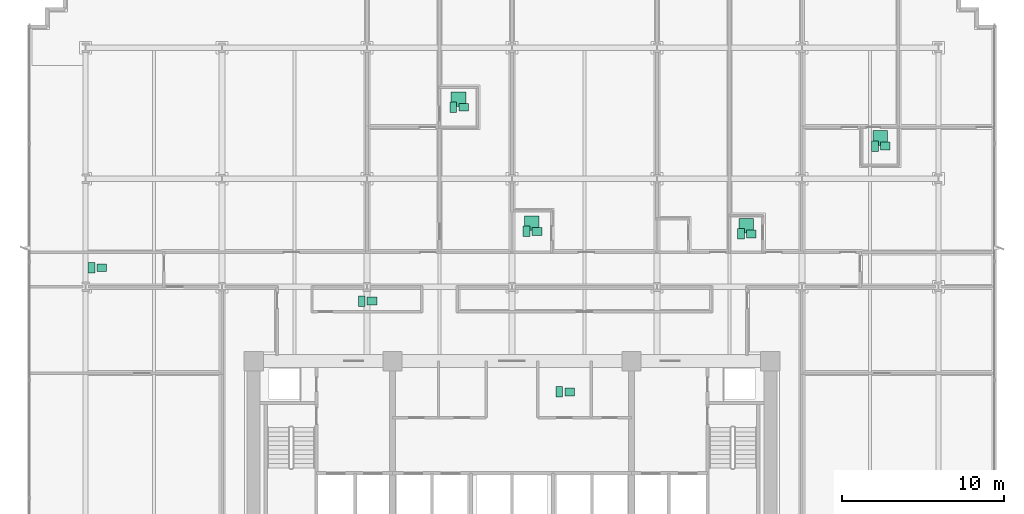
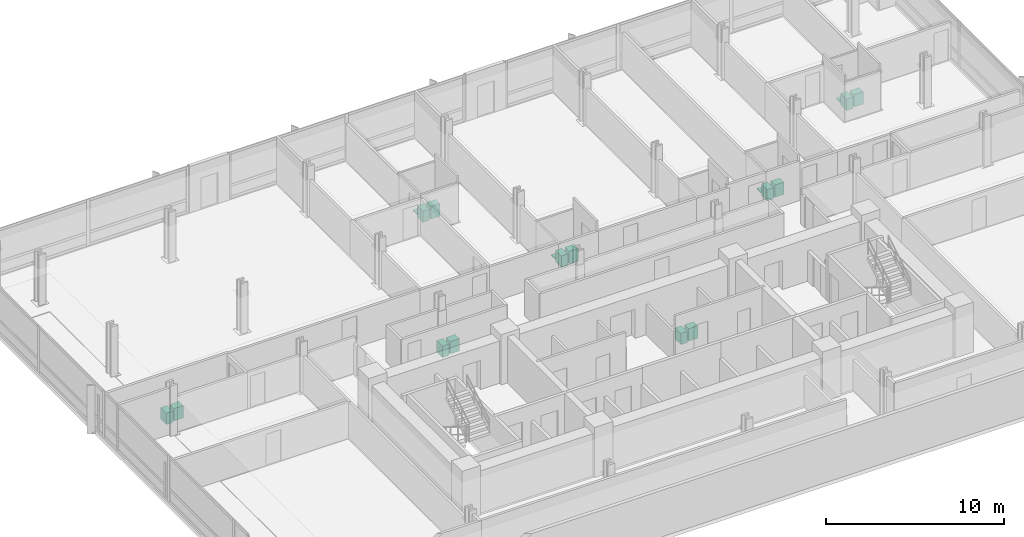
# One storey, part 17 of 17: 18 sanitary terminals.
"""IFC4 building model written with IfcOpenShell, lengths in metres."""

from ifc_helpers import new_model, si_unit, direction, frame, origin, origin_2d, place, context, subcontext, project, spatial, rectangle, extrude, material, type_object, element, save


model = new_model("IFC4")

# Units and contexts
model_context = context("Model", 3, precision=1e-05, world=origin(), true_north=direction((0.0, 1.0)))
body_context = subcontext(model_context, "Body", "Model", "MODEL_VIEW")
ifc_project = project(units=[si_unit("LENGTHUNIT", "METRE"), si_unit("AREAUNIT", "SQUARE_METRE"), si_unit("VOLUMEUNIT", "CUBIC_METRE"), si_unit("PLANEANGLEUNIT", "RADIAN"), si_unit("MASSUNIT", "GRAM", prefix="KILO")], contexts=[model_context])

# Site, building, storey
site_placement = place(None, origin())
site = spatial("IfcSite", under=ifc_project, at=site_placement, CompositionType="ELEMENT")
building_placement = place(site_placement, origin())
building = spatial("IfcBuilding", under=site, at=building_placement, Name="Solmavex Isthmus Hotel", CompositionType="ELEMENT")
storey_placement = place(building_placement, frame((0.0, 0.0, 47.10009765625)))
storey = spatial("IfcBuildingStorey", under=building, at=storey_placement, Name="L12", CompositionType="ELEMENT", Elevation=47.10009765625)

# Sanitary terminals
ifc_material = material(Name="Vitreous china ceramic", Category="ceramic")
sanitary_terminal_type_1 = type_object("IfcSanitaryTerminalType", Name="SAN-BASIN", PredefinedType="WASHHANDBASIN", material=ifc_material)
for number, where, z_axis, x_axis, name in (
    (1, (3.570068359375, -4.409912109375, -0.000244140625), (0.0, 0.0, 1.0), (1.0, 0.0, 0.0), "Vanity Washbasin L12-56"),
    (2, (-2.992919921875, 13.212890625, -0.000244140625), (0.0, 0.0, 1.0), (1.0, 0.0, 0.0), "Vanity Washbasin L12-57"),
    (3, (1.544921875, 5.52490234375, -0.000244140625), (0.0, 0.0, 1.0), (1.0, 0.0, 0.0), "Vanity Washbasin L12-58"),
    (4, (14.816162109375, 5.375, -0.000244140625), (0.0, 0.0, 1.0), (1.0, 0.0, 0.0), "Vanity Washbasin L12-59"),
    (5, (23.111083984375, 10.81298828125, -0.000244140625), (0.0, 0.0, 1.0), (1.0, 0.0, 0.0), "Vanity Washbasin L12-60"),
    (6, (-8.666015625, 1.21240234375, -0.000244140625), (0.0, 0.0, 1.0), (1.0, 0.0, 0.0), "Vanity Washbasin L12-61"),
    (7, (-25.39599609375, 3.277587890625, -0.000244140625), (0.0, 0.0, 1.0), (1.0, 0.0, 0.0), "Vanity Washbasin L12-62"),
):
    element("IfcSanitaryTerminal", number, at=place(storey_placement, frame(where, z_axis=z_axis, x_axis=x_axis)), inside=storey, type_object=sanitary_terminal_type_1, Name=name, PredefinedType="WASHHANDBASIN", context=body_context, shape_type="SweptSolid", body=[
        extrude(rectangle(XDim=0.60009765625, YDim=0.47998046875, at=origin_2d()), origin(), (0.0, 0.0, 1.0), 0.85009765625),
    ])
sanitary_terminal_type_2 = type_object("IfcSanitaryTerminalType", Name="SAN-SHOWER", PredefinedType="SHOWER", material=ifc_material)
for number, where, z_axis, x_axis, name in (
    (8, (-3.31298828125, 13.712890625, -0.000244140625), (0.0, 0.0, 1.0), (1.0, 0.0, 0.0), "Walk-In Shower L12-57"),
    (9, (1.22509765625, 6.02490234375, -0.000244140625), (0.0, 0.0, 1.0), (1.0, 0.0, 0.0), "Walk-In Shower L12-58"),
    (10, (14.49609375, 5.875, -0.000244140625), (0.0, 0.0, 1.0), (1.0, 0.0, 0.0), "Walk-In Shower L12-59"),
    (11, (22.791015625, 11.31298828125, -0.000244140625), (0.0, 0.0, 1.0), (1.0, 0.0, 0.0), "Walk-In Shower L12-60"),
):
    element("IfcSanitaryTerminal", number, at=place(storey_placement, frame(where, z_axis=z_axis, x_axis=x_axis)), inside=storey, type_object=sanitary_terminal_type_2, Name=name, PredefinedType="SHOWER", context=body_context, shape_type="SweptSolid", body=[
        extrude(rectangle(XDim=0.89990234375, YDim=0.89990234375, at=origin_2d()), origin(), (0.0, 0.0, 1.0), 0.080078125),
    ])
sanitary_terminal_type_3 = type_object("IfcSanitaryTerminalType", Name="SAN-WC-SUITE", PredefinedType="TOILETPAN", material=ifc_material)
for number, where, z_axis, x_axis, name in (
    (12, (2.929931640625, -4.409912109375, 0.0), (0.0, 0.0, 1.0), (1.0, 0.0, 0.0), "Water Closet L12-56"),
    (13, (-3.633056640625, 13.212890625, 0.0), (0.0, 0.0, 1.0), (1.0, 0.0, 0.0), "Water Closet L12-57"),
    (14, (0.905029296875, 5.52490234375, 0.0), (0.0, 0.0, 1.0), (1.0, 0.0, 0.0), "Water Closet L12-58"),
    (15, (14.17626953125, 5.375, 0.0), (0.0, 0.0, 1.0), (1.0, 0.0, 0.0), "Water Closet L12-59"),
    (16, (22.470947265625, 10.81298828125, 0.0), (0.0, 0.0, 1.0), (1.0, 0.0, 0.0), "Water Closet L12-60"),
    (17, (-9.305908203125, 1.21240234375, 0.0), (0.0, 0.0, 1.0), (1.0, 0.0, 0.0), "Water Closet L12-61"),
    (18, (-26.035888671875, 3.277587890625, 0.0), (0.0, 0.0, 1.0), (1.0, 0.0, 0.0), "Water Closet L12-62"),
):
    element("IfcSanitaryTerminal", number, at=place(storey_placement, frame(where, z_axis=z_axis, x_axis=x_axis)), inside=storey, type_object=sanitary_terminal_type_3, Name=name, PredefinedType="TOILETPAN", context=body_context, shape_type="SweptSolid", body=[
        extrude(rectangle(XDim=0.419921875, YDim=0.64990234375, at=origin_2d()), origin(), (0.0, 0.0, 1.0), 0.780029296875),
    ])

save(model, "model.ifc")
